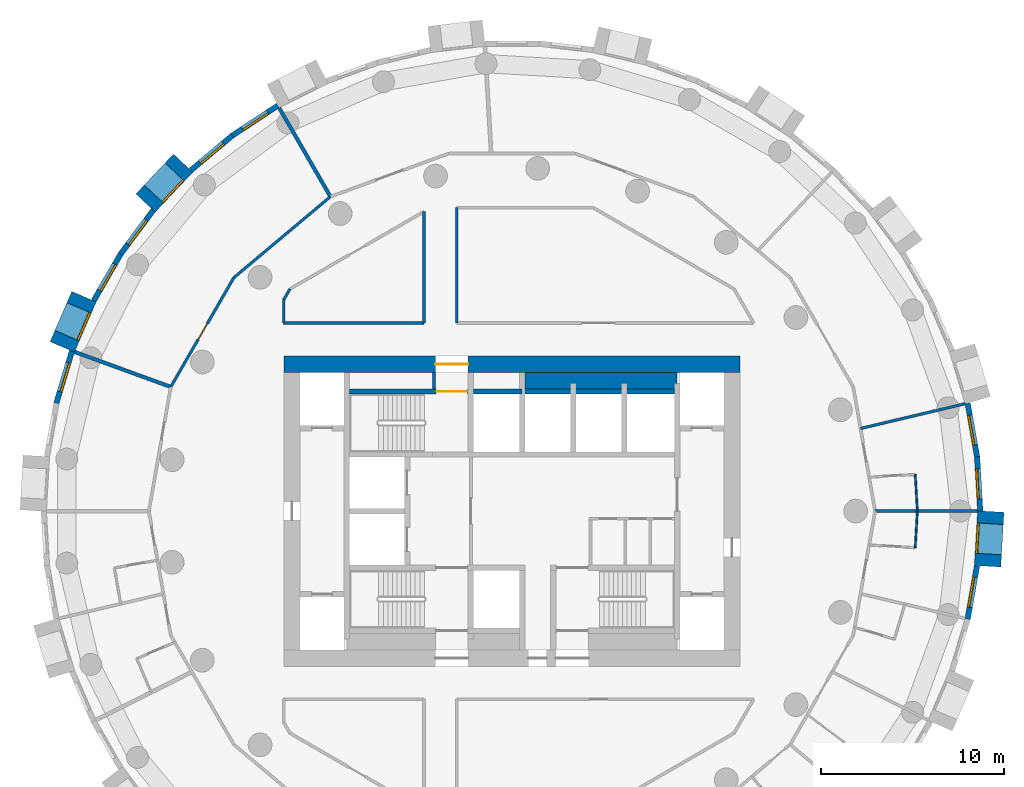
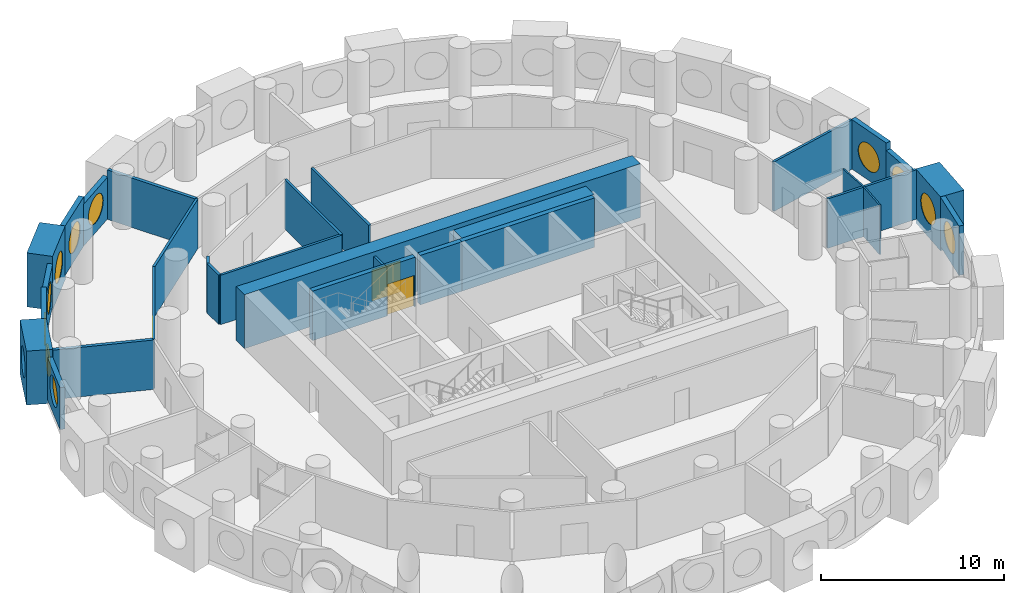
# One storey, part 6 of 9: 31 walls, 11 windows, 3 doors, 14 openings.
"""IFC4 building model written with IfcOpenShell, lengths in metres."""

from ifc_helpers import new_model, si_unit, direction, frame, frame_2d, origin, origin_2d, place, context, subcontext, project, spatial, rectangle, circle, extrude, material, layer, layer_set, type_object, element, fill, save


model = new_model("IFC4")

# Units and contexts
model_context = context("Model", 3, precision=1e-05, world=origin(), true_north=direction((0.0, 1.0)))
body_context = subcontext(model_context, "Body", "Model", "MODEL_VIEW")
ifc_project = project(units=[si_unit("LENGTHUNIT", "METRE"), si_unit("AREAUNIT", "SQUARE_METRE"), si_unit("VOLUMEUNIT", "CUBIC_METRE"), si_unit("PLANEANGLEUNIT", "RADIAN"), si_unit("MASSUNIT", "GRAM", prefix="KILO")], contexts=[model_context])

# Site, building, storey
site_placement = place(None, origin())
site = spatial("IfcSite", under=ifc_project, at=site_placement, CompositionType="ELEMENT")
building_placement = place(site_placement, origin())
building = spatial("IfcBuilding", under=site, at=building_placement, Name="Tracery Tower", CompositionType="ELEMENT")
storey_placement = place(building_placement, frame((0.0, 0.0, 190.800048828125)))
storey = spatial("IfcBuildingStorey", under=building, at=storey_placement, Name="L49", CompositionType="ELEMENT", Elevation=190.800048828125)

# Walls
ifc_material_1 = material(Name="Plasterboard on steel studs", Category="steel")
ifc_layer_1 = layer(ifc_material_1, 0.14990234375)
ifc_layer_set_1 = layer_set([ifc_layer_1], Name="Core room partition 150")
wall_type_1 = type_object("IfcWallType", Name="Core room partition 150", PredefinedType="SOLIDWALL", material=ifc_layer_set_1)
wall_1_placement = place(storey_placement, frame((-4.27490234375, 6.699951171875, 0.0), z_axis=(0.0, 0.0, 1.0), x_axis=(0.0, 1.0, 0.0)))
element("IfcWall", 1, at=wall_1_placement, inside=storey, type_object=wall_type_1, Name="L49 F N room", PredefinedType="SOLIDWALL", context=body_context, shape_type="SweptSolid", body=[
    extrude(rectangle(XDim=0.900146484375, YDim=0.14990234375, at=frame_2d((0.4501953125, 0.0))), origin(), (0.0, 0.0, 1.0), 3.300048828125),
])
ifc_material_2 = material(Name="Concrete C50/60", Category="concrete")
ifc_layer_2 = layer(ifc_material_2, 0.89990234375)
ifc_layer_set_2 = layer_set([ifc_layer_2], Name="Core strip wall 900 C50")
wall_type_2 = type_object("IfcWallType", Name="Core strip wall 900 C50", PredefinedType="SOLIDWALL", material=ifc_layer_set_2)
wall_2_placement = place(storey_placement, frame((0.699951171875, 7.14990234375, 0.0), z_axis=(0.0, 0.0, 1.0), x_axis=(1.0, 0.0, 0.0)))
element("IfcWall", 2, at=wall_2_placement, inside=storey, type_object=wall_type_2, Name="L49 F thick N E", PredefinedType="SOLIDWALL", context=body_context, shape_type="SweptSolid", body=[
    extrude(rectangle(XDim=8.35009765625, YDim=0.89990234375, at=frame_2d((4.175048828125, 0.0))), origin(), (0.0, 0.0, 1.0), 3.300048828125),
])

# Wall, opening, door
ifc_material_3 = material(Name="Concrete C50/60", Category="concrete")
ifc_layer_3 = layer(ifc_material_3, 0.89990234375)
ifc_layer_set_3 = layer_set([ifc_layer_3], Name="Core wall 900 C50")
wall_type_3 = type_object("IfcWallType", Name="Core wall 900 C50", PredefinedType="SOLIDWALL", material=ifc_layer_set_3)
wall_3_placement = place(storey_placement, frame((-12.5, 8.050048828125, 0.0), z_axis=(0.0, 0.0, 1.0), x_axis=(1.0, 0.0, 0.0)))
wall_3 = element("IfcWall", 3, at=wall_3_placement, inside=storey, type_object=wall_type_3, Name="L49 outer N", PredefinedType="SOLIDWALL", context=body_context, shape_type="SweptSolid", body=[
    extrude(rectangle(XDim=25.0, YDim=0.89990234375, at=frame_2d((12.5, 0.0))), origin(), (0.0, 0.0, 1.0), 3.599853515625),
])
opening_1_placement = place(wall_3_placement, frame((8.300048828125, 0.0, 0.0)))
opening_1 = element("IfcOpeningElement", 4, at=opening_1_placement, cuts=wall_3, Name="Opening KD13", PredefinedType="OPENING", context=body_context, shape_type="SweptSolid", body=[
    extrude(rectangle(XDim=1.800048828125, YDim=2.10009765625, at=frame_2d((0.89990234375, 1.050048828125))), frame((0.0, 0.449951171875, 0.0), z_axis=(0.0, -1.0, 0.0), x_axis=(1.0, 0.0, 0.0)), (0.0, 0.0, 1.0), 0.89990234375),
])
ifc_material_4 = material(Name="Steel fire door", Category="steel")
door_type_1 = type_object("IfcDoorType", Name="Core exit door 1800 double", OperationType="NOTDEFINED", PredefinedType="DOOR", material=ifc_material_4)
door_1_placement = place(opening_1_placement, origin())
door_1 = element("IfcDoor", 5, at=door_1_placement, inside=storey, type_object=door_type_1, Name="Core exit door", OperationType="DOUBLE_DOOR_SINGLE_SWING", OverallHeight=2.10009765625, OverallWidth=1.800048828125, PredefinedType="DOOR", context=body_context, shape_type="SweptSolid", body=[
    extrude(rectangle(XDim=1.800048828125, YDim=2.10009765625, at=frame_2d((0.89990234375, 1.050048828125))), frame((0.0, 0.02490234375, 0.0), z_axis=(0.0, -1.0, 0.0), x_axis=(1.0, 0.0, 0.0)), (0.0, 0.0, 1.0), 0.050048828125),
])
fill(opening_1, door_1)

# Wall, opening, window
ifc_material_5 = material(Name="Precast concrete C50/60", Category="concrete")
ifc_layer_4 = layer(ifc_material_5, 1.449951171875)
ifc_layer_set_4 = layer_set([ifc_layer_4], Name="Deep-set bay unit 3000 x 3600, slab edge 300")
wall_type_4 = type_object("IfcWallType", Name="Deep-set bay unit 3000 x 3600, slab edge 300", PredefinedType="ELEMENTEDWALL", material=ifc_layer_set_4)
wall_4_placement = place(storey_placement, frame((-18.0126953125, 19.05615234375, -0.300048828125), z_axis=(0.0, 0.0, 1.0), x_axis=(-0.686217177108, -0.727396718334, 0.0)))
wall_4 = element("IfcWall", 6, at=wall_4_placement, inside=storey, type_object=wall_type_4, Name="Deep-set bay unit 21 at L49", PredefinedType="ELEMENTEDWALL", context=body_context, shape_type="SweptSolid", body=[
    extrude(rectangle(XDim=3.0, YDim=1.449951171875, at=frame_2d((1.5, 0.0))), origin(), (0.0, 0.0, 1.0), 3.60009765625),
])
opening_2_placement = place(wall_4_placement, frame((1.5, 0.0, 1.85009765625)))
opening_2 = element("IfcOpeningElement", 7, at=opening_2_placement, cuts=wall_4, Name="Opening WN1", PredefinedType="OPENING", context=body_context, shape_type="SweptSolid", body=[
    extrude(circle(Radius=0.9000244140625, at=origin_2d()), frame((0.0, 0.73486328125, 0.0), z_axis=(0.0, -1.0, 0.0), x_axis=(1.0, 0.0, 0.0)), (0.0, 0.0, 1.0), 1.469970703125),
])
ifc_material_6 = material(Name="Aluminium frame with tinted double glazing", Category="aluminium")
window_type = type_object("IfcWindowType", Name="Round window 1800", PartitioningType="SINGLE_PANEL", PredefinedType="WINDOW", material=ifc_material_6)
window_1_placement = place(opening_2_placement, origin())
window_1 = element("IfcWindow", 8, at=window_1_placement, inside=storey, type_object=window_type, Name="Round window 21 at L49", OverallHeight=1.800048828125, OverallWidth=1.800048828125, PartitioningType="SINGLE_PANEL", PredefinedType="WINDOW", context=body_context, shape_type="SweptSolid", body=[
    extrude(circle(Radius=0.9000244140625, at=origin_2d()), frame((0.0, 0.69482421875, 0.0), z_axis=(0.0, -1.0, 0.0), x_axis=(1.0, 0.0, 0.0)), (0.0, 0.0, 1.0), 0.10009765625),
])
fill(opening_2, window_1)

wall_5_placement = place(storey_placement, frame((-23.44384765625, 11.746337890625, -0.300048828125), z_axis=(0.0, 0.0, 1.0), x_axis=(-0.396079003245, -0.918216435917, 0.0)))
wall_5 = element("IfcWall", 9, at=wall_5_placement, inside=storey, type_object=wall_type_4, Name="Deep-set bay unit 24 at L49", PredefinedType="ELEMENTEDWALL", context=body_context, shape_type="SweptSolid", body=[
    extrude(rectangle(XDim=3.0, YDim=1.449951171875, at=frame_2d((1.5, 0.0))), origin(), (0.0, 0.0, 1.0), 3.60009765625),
])
opening_3_placement = place(wall_5_placement, frame((1.5, 0.0, 1.85009765625)))
opening_3 = element("IfcOpeningElement", 10, at=opening_3_placement, cuts=wall_5, Name="Opening WN1", PredefinedType="OPENING", context=body_context, shape_type="SweptSolid", body=[
    extrude(circle(Radius=0.9000244140625, at=origin_2d()), frame((0.0, 0.73486328125, 0.0), z_axis=(0.0, -1.0, 0.0), x_axis=(1.0, 0.0, 0.0)), (0.0, 0.0, 1.0), 1.469970703125),
])
window_2_placement = place(opening_3_placement, origin())
window_2 = element("IfcWindow", 11, at=window_2_placement, inside=storey, type_object=window_type, Name="Round window 24 at L49", OverallHeight=1.800048828125, OverallWidth=1.800048828125, PartitioningType="SINGLE_PANEL", PredefinedType="WINDOW", context=body_context, shape_type="SweptSolid", body=[
    extrude(circle(Radius=0.9000244140625, at=origin_2d()), frame((0.0, 0.69482421875, 0.0), z_axis=(0.0, -1.0, 0.0), x_axis=(1.0, 0.0, 0.0)), (0.0, 0.0, 1.0), 0.10009765625),
])
fill(opening_3, window_2)

wall_6_placement = place(storey_placement, frame((26.047607421875, -3.01953125, -0.300048828125), z_axis=(0.0, 0.0, 1.0), x_axis=(0.058106596105, 0.998310384344, 0.0)))
wall_6 = element("IfcWall", 12, at=wall_6_placement, inside=storey, type_object=wall_type_4, Name="Deep-set bay unit 54 at L49", PredefinedType="ELEMENTEDWALL", context=body_context, shape_type="SweptSolid", body=[
    extrude(rectangle(XDim=3.0, YDim=1.449951171875, at=frame_2d((1.5, 0.0))), origin(), (0.0, 0.0, 1.0), 3.60009765625),
])
opening_4_placement = place(wall_6_placement, frame((1.5, 0.0, 1.85009765625)))
opening_4 = element("IfcOpeningElement", 13, at=opening_4_placement, cuts=wall_6, Name="Opening WN1", PredefinedType="OPENING", context=body_context, shape_type="SweptSolid", body=[
    extrude(circle(Radius=0.9000244140625, at=origin_2d()), frame((0.0, 0.73486328125, 0.0), z_axis=(0.0, -1.0, 0.0), x_axis=(1.0, 0.0, 0.0)), (0.0, 0.0, 1.0), 1.469970703125),
])
window_3_placement = place(opening_4_placement, origin())
window_3 = element("IfcWindow", 14, at=window_3_placement, inside=storey, type_object=window_type, Name="Round window 54 at L49", OverallHeight=1.800048828125, OverallWidth=1.800048828125, PartitioningType="SINGLE_PANEL", PredefinedType="WINDOW", context=body_context, shape_type="SweptSolid", body=[
    extrude(circle(Radius=0.9000244140625, at=origin_2d()), frame((0.0, 0.69482421875, 0.0), z_axis=(0.0, -1.0, 0.0), x_axis=(1.0, 0.0, 0.0)), (0.0, 0.0, 1.0), 0.10009765625),
])
fill(opening_4, window_3)

ifc_material_7 = material(Name="Precast concrete C50/60", Category="concrete")
ifc_layer_5 = layer(ifc_material_7, 0.300048828125)
ifc_layer_set_5 = layer_set([ifc_layer_5], Name="Facade panel 3000 x 2800")
wall_type_5 = type_object("IfcWallType", Name="Facade panel 3000 x 2800", PredefinedType="SOLIDWALL", material=ifc_layer_set_5)
wall_7_placement = place(storey_placement, frame((25.64697265625, 0.009521484375, 0.0), z_axis=(0.0, 0.0, 1.0), x_axis=(-0.058139540521, 0.998308466271, 0.0)))
wall_7 = element("IfcWall", 15, at=wall_7_placement, inside=storey, type_object=wall_type_5, Name="Facade panel 1 at L49", PredefinedType="SOLIDWALL", context=body_context, shape_type="SweptSolid", body=[
    extrude(rectangle(XDim=2.97314453125, YDim=0.300048828125, at=frame_2d((1.486572265625, 0.0))), origin(), (0.0, 0.0, 1.0), 2.800048828125),
])
opening_5_placement = place(wall_7_placement, frame((1.486328125, 0.0, 1.5498046875)))
opening_5 = element("IfcOpeningElement", 16, at=opening_5_placement, cuts=wall_7, Name="Opening WN1", PredefinedType="OPENING", context=body_context, shape_type="SweptSolid", body=[
    extrude(circle(Radius=0.9000244140625, at=origin_2d()), frame((0.0, 0.159912109375, 0.0), z_axis=(0.0, -1.0, 0.0), x_axis=(1.0, 0.0, 0.0)), (0.0, 0.0, 1.0), 0.320068359375),
])
window_4_placement = place(opening_5_placement, origin())
window_4 = element("IfcWindow", 17, at=window_4_placement, inside=storey, type_object=window_type, Name="Round window 1 at L49", OverallHeight=1.800048828125, OverallWidth=1.800048828125, PartitioningType="SINGLE_PANEL", PredefinedType="WINDOW", context=body_context, shape_type="SweptSolid", body=[
    extrude(circle(Radius=0.9000244140625, at=origin_2d()), frame((0.0, 0.1201171875, 0.0), z_axis=(0.0, -1.0, 0.0), x_axis=(1.0, 0.0, 0.0)), (0.0, 0.0, 1.0), 0.10009765625),
])
fill(opening_5, window_4)

wall_8_placement = place(storey_placement, frame((-12.831787109375, 22.2060546875, 0.0), z_axis=(0.0, 0.0, 1.0), x_axis=(-0.835508361394, -0.54947773207, 0.0)))
wall_8 = element("IfcWall", 18, at=wall_8_placement, inside=storey, type_object=wall_type_5, Name="Facade panel 19 at L49", PredefinedType="SOLIDWALL", context=body_context, shape_type="SweptSolid", body=[
    extrude(rectangle(XDim=2.972900390625, YDim=0.300048828125, at=frame_2d((1.486328125, 0.0))), origin(), (0.0, 0.0, 1.0), 2.800048828125),
])
opening_6_placement = place(wall_8_placement, frame((1.486328125, 0.0, 1.5498046875)))
opening_6 = element("IfcOpeningElement", 19, at=opening_6_placement, cuts=wall_8, Name="Opening WN1", PredefinedType="OPENING", context=body_context, shape_type="SweptSolid", body=[
    extrude(circle(Radius=0.9000244140625, at=origin_2d()), frame((0.0, 0.159912109375, 0.0), z_axis=(0.0, -1.0, 0.0), x_axis=(1.0, 0.0, 0.0)), (0.0, 0.0, 1.0), 0.320068359375),
])
window_5_placement = place(opening_6_placement, origin())
window_5 = element("IfcWindow", 20, at=window_5_placement, inside=storey, type_object=window_type, Name="Round window 19 at L49", OverallHeight=1.800048828125, OverallWidth=1.800048828125, PartitioningType="SINGLE_PANEL", PredefinedType="WINDOW", context=body_context, shape_type="SweptSolid", body=[
    extrude(circle(Radius=0.9000244140625, at=origin_2d()), frame((0.0, 0.1201171875, 0.0), z_axis=(0.0, -1.0, 0.0), x_axis=(1.0, 0.0, 0.0)), (0.0, 0.0, 1.0), 0.10009765625),
])
fill(opening_6, window_5)

wall_9_placement = place(storey_placement, frame((-19.65283203125, 16.47802734375, 0.0), z_axis=(0.0, 0.0, 1.0), x_axis=(-0.597197580538, -0.80209416517, 0.0)))
wall_9 = element("IfcWall", 21, at=wall_9_placement, inside=storey, type_object=wall_type_5, Name="Facade panel 22 at L49", PredefinedType="SOLIDWALL", context=body_context, shape_type="SweptSolid", body=[
    extrude(rectangle(XDim=2.972900390625, YDim=0.300048828125, at=frame_2d((1.486328125, 0.0))), origin(), (0.0, 0.0, 1.0), 2.800048828125),
])
opening_7_placement = place(wall_9_placement, frame((1.486328125, 0.0, 1.5498046875)))
opening_7 = element("IfcOpeningElement", 22, at=opening_7_placement, cuts=wall_9, Name="Opening WN1", PredefinedType="OPENING", context=body_context, shape_type="SweptSolid", body=[
    extrude(circle(Radius=0.9000244140625, at=origin_2d()), frame((0.0, 0.159912109375, 0.0), z_axis=(0.0, -1.0, 0.0), x_axis=(1.0, 0.0, 0.0)), (0.0, 0.0, 1.0), 0.320068359375),
])
window_6_placement = place(opening_7_placement, origin())
window_6 = element("IfcWindow", 23, at=window_6_placement, inside=storey, type_object=window_type, Name="Round window 22 at L49", OverallHeight=1.800048828125, OverallWidth=1.800048828125, PartitioningType="SINGLE_PANEL", PredefinedType="WINDOW", context=body_context, shape_type="SweptSolid", body=[
    extrude(circle(Radius=0.9000244140625, at=origin_2d()), frame((0.0, 0.1201171875, 0.0), z_axis=(0.0, -1.0, 0.0), x_axis=(1.0, 0.0, 0.0)), (0.0, 0.0, 1.0), 0.10009765625),
])
fill(opening_7, window_6)

wall_10_placement = place(storey_placement, frame((-24.103515625, 8.7626953125, 0.0), z_axis=(0.0, 0.0, 1.0), x_axis=(-0.286782750849, -0.957995643944, 0.0)))
wall_10 = element("IfcWall", 24, at=wall_10_placement, inside=storey, type_object=wall_type_5, Name="Facade panel 25 at L49", PredefinedType="SOLIDWALL", context=body_context, shape_type="SweptSolid", body=[
    extrude(rectangle(XDim=2.97265625, YDim=0.300048828125, at=frame_2d((1.486328125, 0.0))), origin(), (0.0, 0.0, 1.0), 2.800048828125),
])
opening_8_placement = place(wall_10_placement, frame((1.486328125, 0.0, 1.5498046875)))
opening_8 = element("IfcOpeningElement", 25, at=opening_8_placement, cuts=wall_10, Name="Opening WN1", PredefinedType="OPENING", context=body_context, shape_type="SweptSolid", body=[
    extrude(circle(Radius=0.9000244140625, at=origin_2d()), frame((0.0, 0.159912109375, 0.0), z_axis=(0.0, -1.0, 0.0), x_axis=(1.0, 0.0, 0.0)), (0.0, 0.0, 1.0), 0.320068359375),
])
window_7_placement = place(opening_8_placement, origin())
window_7 = element("IfcWindow", 26, at=window_7_placement, inside=storey, type_object=window_type, Name="Round window 25 at L49", OverallHeight=1.800048828125, OverallWidth=1.800048828125, PartitioningType="SINGLE_PANEL", PredefinedType="WINDOW", context=body_context, shape_type="SweptSolid", body=[
    extrude(circle(Radius=0.9000244140625, at=origin_2d()), frame((0.0, 0.1201171875, 0.0), z_axis=(0.0, -1.0, 0.0), x_axis=(1.0, 0.0, 0.0)), (0.0, 0.0, 1.0), 0.10009765625),
])
fill(opening_8, window_7)

ifc_material_8 = material(Name="Precast concrete C50/60", Category="concrete")
ifc_layer_6 = layer(ifc_material_8, 0.300048828125)
ifc_layer_set_6 = layer_set([ifc_layer_6], Name="Facade panel 3000 x 3300")
wall_type_6 = type_object("IfcWallType", Name="Facade panel 3000 x 3300", PredefinedType="SOLIDWALL", material=ifc_layer_set_6)
wall_11_placement = place(storey_placement, frame((25.47412109375, 2.9775390625, 0.0), z_axis=(0.0, 0.0, 1.0), x_axis=(-0.173686952598, 0.984800915159, 0.0)))
wall_11 = element("IfcWall", 27, at=wall_11_placement, inside=storey, type_object=wall_type_6, Name="Facade panel 2 at L49", PredefinedType="SOLIDWALL", context=body_context, shape_type="SweptSolid", body=[
    extrude(rectangle(XDim=2.972900390625, YDim=0.300048828125, at=frame_2d((1.486328125, 0.0))), origin(), (0.0, 0.0, 1.0), 3.300048828125),
])
opening_9_placement = place(wall_11_placement, frame((1.486328125, 0.0, 1.5498046875)))
opening_9 = element("IfcOpeningElement", 28, at=opening_9_placement, cuts=wall_11, Name="Opening WN1", PredefinedType="OPENING", context=body_context, shape_type="SweptSolid", body=[
    extrude(circle(Radius=0.9000244140625, at=origin_2d()), frame((0.0, 0.159912109375, 0.0), z_axis=(0.0, -1.0, 0.0), x_axis=(1.0, 0.0, 0.0)), (0.0, 0.0, 1.0), 0.320068359375),
])
window_8_placement = place(opening_9_placement, origin())
window_8 = element("IfcWindow", 29, at=window_8_placement, inside=storey, type_object=window_type, Name="Round window 2 at L49", OverallHeight=1.800048828125, OverallWidth=1.800048828125, PartitioningType="SINGLE_PANEL", PredefinedType="WINDOW", context=body_context, shape_type="SweptSolid", body=[
    extrude(circle(Radius=0.9000244140625, at=origin_2d()), frame((0.0, 0.1201171875, 0.0), z_axis=(0.0, -1.0, 0.0), x_axis=(1.0, 0.0, 0.0)), (0.0, 0.0, 1.0), 0.10009765625),
])
fill(opening_9, window_8)

wall_12_placement = place(storey_placement, frame((-15.315673828125, 20.572509765625, 0.0), z_axis=(0.0, 0.0, 1.0), x_axis=(-0.766008913364, -0.642829950023, 0.0)))
wall_12 = element("IfcWall", 30, at=wall_12_placement, inside=storey, type_object=wall_type_6, Name="Facade panel 20 at L49", PredefinedType="SOLIDWALL", context=body_context, shape_type="SweptSolid", body=[
    extrude(rectangle(XDim=2.972900390625, YDim=0.300048828125, at=frame_2d((1.486328125, 0.0))), origin(), (0.0, 0.0, 1.0), 3.300048828125),
])
opening_10_placement = place(wall_12_placement, frame((1.486328125, 0.0, 1.5498046875)))
opening_10 = element("IfcOpeningElement", 31, at=opening_10_placement, cuts=wall_12, Name="Opening WN1", PredefinedType="OPENING", context=body_context, shape_type="SweptSolid", body=[
    extrude(circle(Radius=0.9000244140625, at=origin_2d()), frame((0.0, 0.159912109375, 0.0), z_axis=(0.0, -1.0, 0.0), x_axis=(1.0, 0.0, 0.0)), (0.0, 0.0, 1.0), 0.320068359375),
])
window_9_placement = place(opening_10_placement, origin())
window_9 = element("IfcWindow", 32, at=window_9_placement, inside=storey, type_object=window_type, Name="Round window 20 at L49", OverallHeight=1.800048828125, OverallWidth=1.800048828125, PartitioningType="SINGLE_PANEL", PredefinedType="WINDOW", context=body_context, shape_type="SweptSolid", body=[
    extrude(circle(Radius=0.9000244140625, at=origin_2d()), frame((0.0, 0.1201171875, 0.0), z_axis=(0.0, -1.0, 0.0), x_axis=(1.0, 0.0, 0.0)), (0.0, 0.0, 1.0), 0.10009765625),
])
fill(opening_10, window_9)

wall_13_placement = place(storey_placement, frame((-21.42822265625, 14.093505859375, 0.0), z_axis=(0.0, 0.0, 1.0), x_axis=(-0.499954672104, -0.866051572276, 0.0)))
wall_13 = element("IfcWall", 33, at=wall_13_placement, inside=storey, type_object=wall_type_6, Name="Facade panel 23 at L49", PredefinedType="SOLIDWALL", context=body_context, shape_type="SweptSolid", body=[
    extrude(rectangle(XDim=2.972900390625, YDim=0.300048828125, at=frame_2d((1.486328125, 0.0))), origin(), (0.0, 0.0, 1.0), 3.300048828125),
])
opening_11_placement = place(wall_13_placement, frame((1.486328125, 0.0, 1.5498046875)))
opening_11 = element("IfcOpeningElement", 34, at=opening_11_placement, cuts=wall_13, Name="Opening WN1", PredefinedType="OPENING", context=body_context, shape_type="SweptSolid", body=[
    extrude(circle(Radius=0.9000244140625, at=origin_2d()), frame((0.0, 0.159912109375, 0.0), z_axis=(0.0, -1.0, 0.0), x_axis=(1.0, 0.0, 0.0)), (0.0, 0.0, 1.0), 0.320068359375),
])
window_10_placement = place(opening_11_placement, origin())
window_10 = element("IfcWindow", 35, at=window_10_placement, inside=storey, type_object=window_type, Name="Round window 23 at L49", OverallHeight=1.800048828125, OverallWidth=1.800048828125, PartitioningType="SINGLE_PANEL", PredefinedType="WINDOW", context=body_context, shape_type="SweptSolid", body=[
    extrude(circle(Radius=0.9000244140625, at=origin_2d()), frame((0.0, 0.1201171875, 0.0), z_axis=(0.0, -1.0, 0.0), x_axis=(1.0, 0.0, 0.0)), (0.0, 0.0, 1.0), 0.10009765625),
])
fill(opening_11, window_10)

wall_14_placement = place(storey_placement, frame((24.9560546875, -5.914794921875, 0.0), z_axis=(0.0, 0.0, 1.0), x_axis=(0.173686952598, 0.984800915159, 0.0)))
wall_14 = element("IfcWall", 36, at=wall_14_placement, inside=storey, type_object=wall_type_6, Name="Facade panel 53 at L49", PredefinedType="SOLIDWALL", context=body_context, shape_type="SweptSolid", body=[
    extrude(rectangle(XDim=2.972900390625, YDim=0.300048828125, at=frame_2d((1.486328125, 0.0))), origin(), (0.0, 0.0, 1.0), 3.300048828125),
])
opening_12_placement = place(wall_14_placement, frame((1.486328125, 0.0, 1.5498046875)))
opening_12 = element("IfcOpeningElement", 37, at=opening_12_placement, cuts=wall_14, Name="Opening WN1", PredefinedType="OPENING", context=body_context, shape_type="SweptSolid", body=[
    extrude(circle(Radius=0.9000244140625, at=origin_2d()), frame((0.0, 0.159912109375, 0.0), z_axis=(0.0, -1.0, 0.0), x_axis=(1.0, 0.0, 0.0)), (0.0, 0.0, 1.0), 0.320068359375),
])
window_11_placement = place(opening_12_placement, origin())
window_11 = element("IfcWindow", 38, at=window_11_placement, inside=storey, type_object=window_type, Name="Round window 53 at L49", OverallHeight=1.800048828125, OverallWidth=1.800048828125, PartitioningType="SINGLE_PANEL", PredefinedType="WINDOW", context=body_context, shape_type="SweptSolid", body=[
    extrude(circle(Radius=0.9000244140625, at=origin_2d()), frame((0.0, 0.1201171875, 0.0), z_axis=(0.0, -1.0, 0.0), x_axis=(1.0, 0.0, 0.0)), (0.0, 0.0, 1.0), 0.10009765625),
])
fill(opening_12, window_11)

# Walls
ifc_material_9 = material(Name="Plasterboard on steel studs", Category="steel")
ifc_layer_7 = layer(ifc_material_9, 0.10009765625)
ifc_layer_set_7 = layer_set([ifc_layer_7], Name="Partition 100 wet wall")
wall_type_7 = type_object("IfcWallType", Name="Partition 100 wet wall", PredefinedType="PARTITIONING", material=ifc_layer_set_7)
for number, where, z_axis, x_axis, name in (
    (39, (22.083984375, 2.0048828125, 0.0), (0.0, 0.0, 1.0), (0.058230299749, -0.998303176491, 0.0), "Wet wall RB7-040"),
    (40, (22.083984375, -2.0048828125, 0.0), (0.0, 0.0, 1.0), (0.058230299749, 0.998303176491, 0.0), "Wet wall RB7-068"),
):
    element("IfcWall", number, at=place(storey_placement, frame(where, z_axis=z_axis, x_axis=x_axis)), inside=storey, type_object=wall_type_7, Name=name, PredefinedType="PARTITIONING", context=body_context, shape_type="SweptSolid", body=[
        extrude(rectangle(XDim=2.00830078125, YDim=0.10009765625, at=frame_2d((1.004150390625, 0.0))), origin(), (0.0, 0.0, 1.0), 3.300048828125),
    ])
ifc_material_10 = material(Name="Plasterboard on steel studs", Category="steel")
ifc_layer_8 = layer(ifc_material_10, 0.14990234375)
ifc_layer_set_8 = layer_set([ifc_layer_8], Name="Partition 150 acoustic unit wall")
wall_type_8 = type_object("IfcWallType", Name="Partition 150 acoustic unit wall", PredefinedType="PARTITIONING", material=ifc_layer_set_8)
wall_15_placement = place(storey_placement, frame((19.090087890625, 4.52392578125, 0.0), z_axis=(0.0, 0.0, 1.0), x_axis=(0.973033452951, 0.230664040193, 0.0)))
element("IfcWall", 41, at=wall_15_placement, inside=storey, type_object=wall_type_8, Name="Unit wall RB7-042", PredefinedType="PARTITIONING", context=body_context, shape_type="SweptSolid", body=[
    extrude(rectangle(XDim=5.87841796875, YDim=0.14990234375, at=frame_2d((2.939208984375, 0.0))), origin(), (0.0, 0.0, 1.0), 3.300048828125),
])
wall_16_placement = place(storey_placement, frame((19.887939453125, 0.0, 0.0), z_axis=(0.0, 0.0, 1.0), x_axis=(1.0, 0.0, 0.0)))
element("IfcWall", 42, at=wall_16_placement, inside=storey, type_object=wall_type_8, Name="Unit wall RB7-043", PredefinedType="PARTITIONING", context=body_context, shape_type="SweptSolid", body=[
    extrude(rectangle(XDim=5.609130859375, YDim=0.14990234375, at=frame_2d((2.8046875, 0.0))), origin(), (0.0, 0.0, 1.0), 3.300048828125),
])
ifc_material_11 = material(Name="Plasterboard on steel studs", Category="steel")
ifc_layer_9 = layer(ifc_material_11, 0.14990234375)
ifc_layer_set_9 = layer_set([ifc_layer_9], Name="Partition 150 corridor wall")
wall_type_9 = type_object("IfcWallType", Name="Partition 150 corridor wall", PredefinedType="PARTITIONING", material=ifc_layer_set_9)
wall_17_placement = place(storey_placement, frame((-12.50390625, 10.300048828125, 0.0), z_axis=(0.0, 0.0, 1.0), x_axis=(1.0, 0.0, 0.0)))
element("IfcWall", 43, at=wall_17_placement, inside=storey, type_object=wall_type_9, Name="Corridor wall RB7-001", PredefinedType="PARTITIONING", context=body_context, shape_type="SweptSolid", body=[
    extrude(rectangle(XDim=7.68701171875, YDim=0.14990234375, at=frame_2d((3.843505859375, 0.0))), origin(), (0.0, 0.0, 1.0), 3.300048828125),
])
wall_18_placement = place(storey_placement, frame((-4.821044921875, 10.300048828125, 0.0), z_axis=(0.0, 0.0, 1.0), x_axis=(0.0, 1.0, 0.0)))
element("IfcWall", 44, at=wall_18_placement, inside=storey, type_object=wall_type_9, Name="Corridor wall RB7-014", PredefinedType="PARTITIONING", context=body_context, shape_type="SweptSolid", body=[
    extrude(rectangle(XDim=6.100830078125, YDim=0.14990234375, at=frame_2d((3.05029296875, 0.0))), origin(), (0.0, 0.0, 1.0), 3.300048828125),
])
wall_19_placement = place(storey_placement, frame((-3.02099609375, 10.300048828125, 0.0), z_axis=(0.0, 0.0, 1.0), x_axis=(0.0, 1.0, 0.0)))
element("IfcWall", 45, at=wall_19_placement, inside=storey, type_object=wall_type_9, Name="Corridor wall RB7-018", PredefinedType="PARTITIONING", context=body_context, shape_type="SweptSolid", body=[
    extrude(rectangle(XDim=6.31396484375, YDim=0.14990234375, at=frame_2d((3.156982421875, 0.0))), origin(), (0.0, 0.0, 1.0), 3.300048828125),
])
wall_20_placement = place(storey_placement, frame((-15.23486328125, 12.78369140625, 0.0), z_axis=(0.0, 0.0, 1.0), x_axis=(0.766064078986, 0.642764207845, 0.0)))
element("IfcWall", 46, at=wall_20_placement, inside=storey, type_object=wall_type_9, Name="Corridor wall RB7-022", PredefinedType="PARTITIONING", context=body_context, shape_type="SweptSolid", body=[
    extrude(rectangle(XDim=6.906494140625, YDim=0.14990234375, at=frame_2d((3.453125, 0.0))), origin(), (0.0, 0.0, 1.0), 3.300048828125),
])
wall_21_placement = place(storey_placement, frame((-12.5, 11.576904296875, 0.0), z_axis=(0.0, 0.0, 1.0), x_axis=(0.500024767483, 0.866011103799, 0.0)))
element("IfcWall", 47, at=wall_21_placement, inside=storey, type_object=wall_type_9, Name="Corridor wall RB7-023", PredefinedType="PARTITIONING", context=body_context, shape_type="SweptSolid", body=[
    extrude(rectangle(XDim=0.67578125, YDim=0.14990234375, at=frame_2d((0.337890625, 0.0))), origin(), (0.0, 0.0, 1.0), 3.300048828125),
])
wall_22_placement = place(storey_placement, frame((-12.5, 10.300048828125, 0.0), z_axis=(0.0, 0.0, 1.0), x_axis=(0.0, 1.0, 0.0)))
element("IfcWall", 48, at=wall_22_placement, inside=storey, type_object=wall_type_9, Name="Corridor wall RB7-024", PredefinedType="PARTITIONING", context=body_context, shape_type="SweptSolid", body=[
    extrude(rectangle(XDim=1.27685546875, YDim=0.14990234375, at=frame_2d((0.638427734375, 0.0))), origin(), (0.0, 0.0, 1.0), 3.300048828125),
])

# Wall, opening, door
wall_23_placement = place(storey_placement, frame((-18.68798828125, 6.802001953125, 0.0), z_axis=(0.0, 0.0, 1.0), x_axis=(0.499914202267, 0.866074933462, 0.0)))
wall_23 = element("IfcWall", 49, at=wall_23_placement, inside=storey, type_object=wall_type_9, Name="Corridor wall RB7-027", PredefinedType="PARTITIONING", context=body_context, shape_type="SweptSolid", body=[
    extrude(rectangle(XDim=6.906982421875, YDim=0.14990234375, at=frame_2d((3.45361328125, 0.0))), origin(), (0.0, 0.0, 1.0), 3.300048828125),
])
opening_13_placement = place(wall_23_placement, frame((3.00390625, 0.0, 0.0)))
opening_13 = element("IfcOpeningElement", 50, at=opening_13_placement, cuts=wall_23, Name="Opening RB7-10", PredefinedType="OPENING", context=body_context, shape_type="SweptSolid", body=[
    extrude(rectangle(XDim=1.0, YDim=2.0400390625, at=frame_2d((0.5, 1.02001953125))), frame((0.0, 0.074951171875, 0.0), z_axis=(0.0, -1.0, 0.0), x_axis=(1.0, 0.0, 0.0)), (0.0, 0.0, 1.0), 0.14990234375),
])
ifc_material_12 = material(Name="Timber door leaf", Category="wood")
door_type_2 = type_object("IfcDoorType", Name="Door communal room 1000", OperationType="NOTDEFINED", PredefinedType="DOOR", material=ifc_material_12)
door_2_placement = place(opening_13_placement, origin())
door_2 = element("IfcDoor", 51, at=door_2_placement, inside=storey, type_object=door_type_2, Name="Communal room door RB7-10", OperationType="SINGLE_SWING_RIGHT", OverallHeight=2.0400390625, OverallWidth=1.0, PredefinedType="DOOR", context=body_context, shape_type="SweptSolid", body=[
    extrude(rectangle(XDim=1.0, YDim=2.0400390625, at=frame_2d((0.5, 1.02001953125))), frame((0.0, 0.02490234375, 0.0), z_axis=(0.0, -1.0, 0.0), x_axis=(1.0, 0.0, 0.0)), (0.0, 0.0, 1.0), 0.050048828125),
])
fill(opening_13, door_2)

# Walls
ifc_material_13 = material(Name="Plasterboard on steel studs", Category="steel")
ifc_layer_10 = layer(ifc_material_13, 0.199951171875)
ifc_layer_set_10 = layer_set([ifc_layer_10], Name="Partition 200 compartment wall")
wall_type_10 = type_object("IfcWallType", Name="Partition 200 compartment wall", PredefinedType="PARTITIONING", material=ifc_layer_set_10)
wall_24_placement = place(storey_placement, frame((-12.7490234375, 22.0810546875, 0.0), z_axis=(0.0, 0.0, 1.0), x_axis=(0.500010020406, -0.866019618423, 0.0)))
element("IfcWall", 52, at=wall_24_placement, inside=storey, type_object=wall_type_10, Name="Compartment wall RB7-046", PredefinedType="PARTITIONING", context=body_context, shape_type="SweptSolid", body=[
    extrude(rectangle(XDim=5.60986328125, YDim=0.199951171875, at=frame_2d((2.804931640625, 0.0))), origin(), (0.0, 0.0, 1.0), 3.300048828125),
])
wall_25_placement = place(storey_placement, frame((-23.9599609375, 8.720947265625, 0.0), z_axis=(0.0, 0.0, 1.0), x_axis=(0.939686652043, -0.342036541866, 0.0)))
element("IfcWall", 53, at=wall_25_placement, inside=storey, type_object=wall_type_10, Name="Compartment wall RB7-047", PredefinedType="PARTITIONING", context=body_context, shape_type="SweptSolid", body=[
    extrude(rectangle(XDim=5.6103515625, YDim=0.199951171875, at=frame_2d((2.80517578125, 0.0))), origin(), (0.0, 0.0, 1.0), 3.300048828125),
])
ifc_material_14 = material(Name="Concrete C50/60", Category="concrete")
ifc_layer_11 = layer(ifc_material_14, 0.300048828125)
ifc_layer_set_11 = layer_set([ifc_layer_11], Name="Stair wall 300 C50")
wall_type_11 = type_object("IfcWallType", Name="Stair wall 300 C50", PredefinedType="SOLIDWALL", material=ifc_layer_set_11)
wall_26_placement = place(storey_placement, frame((-8.89990234375, 6.550048828125, 0.0), z_axis=(0.0, 0.0, 1.0), x_axis=(1.0, 0.0, 0.0)))
element("IfcWall", 54, at=wall_26_placement, inside=storey, type_object=wall_type_11, Name="L49 F N W", PredefinedType="SOLIDWALL", context=body_context, shape_type="SweptSolid", body=[
    extrude(rectangle(XDim=4.699951171875, YDim=0.300048828125, at=frame_2d((2.35009765625, 0.0))), origin(), (0.0, 0.0, 1.0), 3.300048828125),
])

# Wall, opening, door
wall_27_placement = place(storey_placement, frame((-4.199951171875, 6.550048828125, 0.0), z_axis=(0.0, 0.0, 1.0), x_axis=(1.0, 0.0, 0.0)))
wall_27 = element("IfcWall", 55, at=wall_27_placement, inside=storey, type_object=wall_type_11, Name="L49 F stair N", PredefinedType="SOLIDWALL", context=body_context, shape_type="SweptSolid", body=[
    extrude(rectangle(XDim=1.800048828125, YDim=0.300048828125, at=frame_2d((0.89990234375, 0.0))), origin(), (0.0, 0.0, 1.0), 3.300048828125),
])
opening_14_placement = place(wall_27_placement, frame((0.050048828125, 0.0, 0.0)))
opening_14 = element("IfcOpeningElement", 56, at=opening_14_placement, cuts=wall_27, Name="Opening KD3", PredefinedType="OPENING", context=body_context, shape_type="SweptSolid", body=[
    extrude(rectangle(XDim=1.699951171875, YDim=2.10009765625, at=frame_2d((0.85009765625, 1.050048828125))), frame((0.0, 0.14990234375, 0.0), z_axis=(0.0, -1.0, 0.0), x_axis=(1.0, 0.0, 0.0)), (0.0, 0.0, 1.0), 0.300048828125),
])
ifc_material_15 = material(Name="Steel fire door", Category="steel")
door_type_3 = type_object("IfcDoorType", Name="Core stair door 1700 double", OperationType="NOTDEFINED", PredefinedType="DOOR", material=ifc_material_15)
door_3_placement = place(opening_14_placement, origin())
door_3 = element("IfcDoor", 57, at=door_3_placement, inside=storey, type_object=door_type_3, Name="Stair door vest", OperationType="DOUBLE_DOOR_SINGLE_SWING", OverallHeight=2.10009765625, OverallWidth=1.699951171875, PredefinedType="DOOR", context=body_context, shape_type="SweptSolid", body=[
    extrude(rectangle(XDim=1.699951171875, YDim=2.10009765625, at=frame_2d((0.85009765625, 1.050048828125))), frame((0.0, 0.02490234375, 0.0), z_axis=(0.0, -1.0, 0.0), x_axis=(1.0, 0.0, 0.0)), (0.0, 0.0, 1.0), 0.050048828125),
])
fill(opening_14, door_3)

# Walls
wall_28_placement = place(storey_placement, frame((-2.10009765625, 6.550048828125, 0.0), z_axis=(0.0, 0.0, 1.0), x_axis=(1.0, 0.0, 0.0)))
element("IfcWall", 58, at=wall_28_placement, inside=storey, type_object=wall_type_11, Name="L49 F N E1", PredefinedType="SOLIDWALL", context=body_context, shape_type="SweptSolid", body=[
    extrude(rectangle(XDim=2.650146484375, YDim=0.300048828125, at=frame_2d((1.3251953125, 0.0))), origin(), (0.0, 0.0, 1.0), 3.300048828125),
])
wall_29_placement = place(storey_placement, frame((0.550048828125, 6.550048828125, 0.0), z_axis=(0.0, 0.0, 1.0), x_axis=(1.0, 0.0, 0.0)))
element("IfcWall", 59, at=wall_29_placement, inside=storey, type_object=wall_type_11, Name="L49 F stair strip N E", PredefinedType="SOLIDWALL", context=body_context, shape_type="SweptSolid", body=[
    extrude(rectangle(XDim=8.349853515625, YDim=0.300048828125, at=frame_2d((4.1748046875, 0.0))), origin(), (0.0, 0.0, 1.0), 3.300048828125),
])

save(model, "model.ifc")
